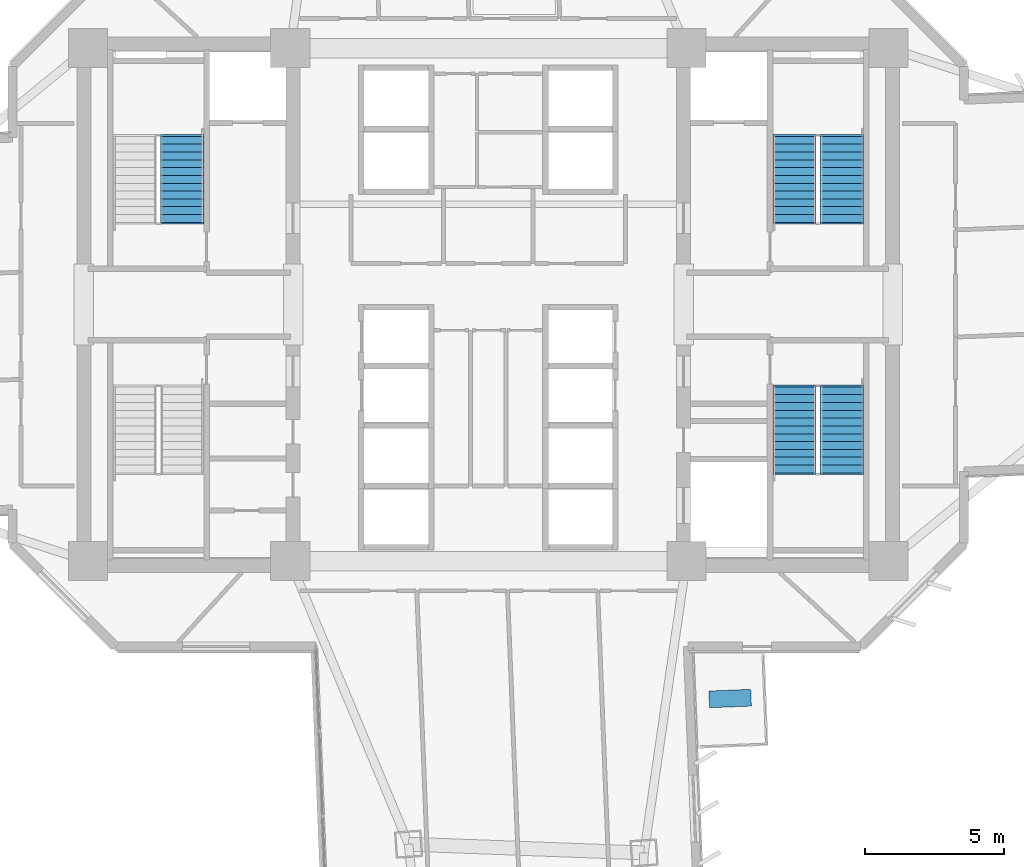
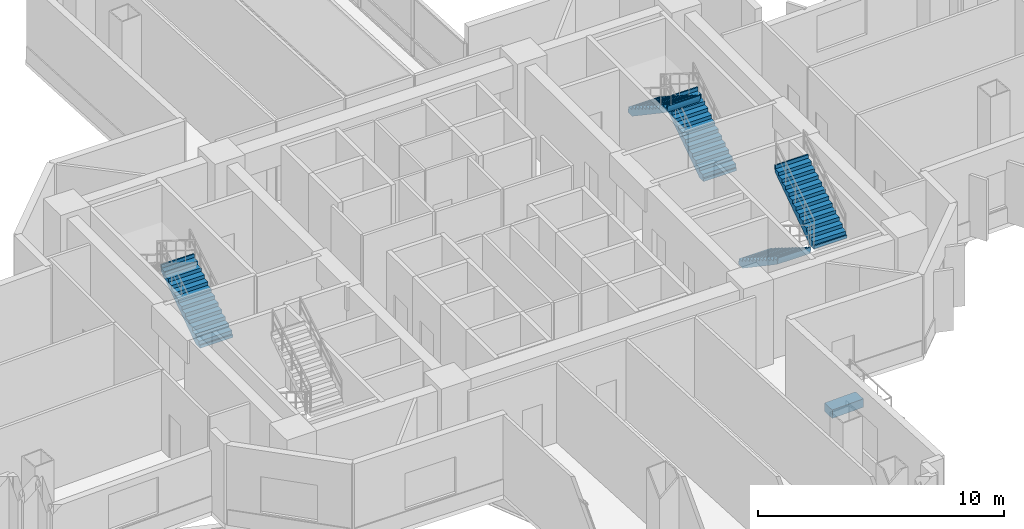
# One storey, part 11 of 16: 5 stair flights, 1 discrete accessory, 3 elements without a shape of their own.
"""IFC4 building model written with IfcOpenShell, lengths in metres."""

from ifc_helpers import new_model, si_unit, direction, frame, origin, origin_2d, place, context, subcontext, project, spatial, polyline, rectangle, outline, extrude, source, transform, mapped, material, type_object, element, aggregate, save


model = new_model("IFC4")

# Units and contexts
model_context = context("Model", 3, precision=1e-05, world=origin(), true_north=direction((0.0, 1.0)))
body_context = subcontext(model_context, "Body", "Model", "MODEL_VIEW")
ifc_project = project(units=[si_unit("LENGTHUNIT", "METRE"), si_unit("AREAUNIT", "SQUARE_METRE"), si_unit("VOLUMEUNIT", "CUBIC_METRE"), si_unit("PLANEANGLEUNIT", "RADIAN"), si_unit("MASSUNIT", "GRAM", prefix="KILO")], contexts=[model_context])

# Site, building, storey
site_placement = place(None, origin())
site = spatial("IfcSite", under=ifc_project, at=site_placement, CompositionType="ELEMENT")
building_placement = place(site_placement, origin())
building = spatial("IfcBuilding", under=site, at=building_placement, Name="Zahravan Cultural Tower", CompositionType="ELEMENT")
storey_placement = place(building_placement, frame((0.0, 0.0, 58.5)))
storey = spatial("IfcBuildingStorey", under=building, at=storey_placement, Name="L12", CompositionType="ELEMENT", Elevation=58.5)

# Stair, stair flight
ifc_material_1 = material(Name="Concrete C45/55", Category="concrete")
stair_type = type_object("IfcStairType", Name="STR-DL-1550-420", PredefinedType="HALF_TURN_STAIR", material=ifc_material_1)
stair_1_placement = place(storey_placement, origin())
stair_1 = element("IfcStair", 1, at=stair_1_placement, inside=storey, type_object=stair_type, Name="L12 West Core North Exit Stair ST-W1", PredefinedType="HALF_TURN_STAIR")
stair_flight_type = type_object("IfcStairFlightType", Name="FLG-DL-1550-420", PredefinedType="STRAIGHT", material=ifc_material_1)
stair_flight_1_placement = place(storey_placement, frame((25.02490234375, 29.949951171875, 0.0), z_axis=(0.0, 0.0, 1.0), x_axis=(0.0, 1.0, 0.0)))
stair_flight_1 = element("IfcStairFlight", 2, at=stair_flight_1_placement, type_object=stair_flight_type, Name="ST-W1 flight 1", NumberOfRisers=12, NumberOfTreads=11, PredefinedType="STRAIGHT", RiserHeight=0.175, TreadLength=0.28, context=body_context, shape_type="SweptSolid", body=[
    extrude(outline(polyline([(-0.06494140625, -0.139892578125), (-0.06494140625, 0.0), (0.0, 0.0), (0.0, 0.175048828125), (0.280029296875, 0.175048828125), (0.280029296875, 0.35009765625), (0.56005859375, 0.35009765625), (0.56005859375, 0.52490234375), (0.840087890625, 0.52490234375), (0.840087890625, 0.699951171875), (1.1201171875, 0.699951171875), (1.1201171875, 0.875), (1.39990234375, 0.875), (1.39990234375, 1.050048828125), (1.679931640625, 1.050048828125), (1.679931640625, 1.22509765625), (1.9599609375, 1.22509765625), (1.9599609375, 1.39990234375), (2.239990234375, 1.39990234375), (2.239990234375, 1.574951171875), (2.52001953125, 1.574951171875), (2.52001953125, 1.75), (2.800048828125, 1.75), (2.800048828125, 1.925048828125), (3.080078125, 1.925048828125), (3.080078125, 2.10009765625), (3.14501953125, 2.10009765625), (3.14501953125, 1.9501953125), (3.080078125, 1.748291015625), (0.28271484375, -0.139892578125), (-0.06494140625, -0.139892578125)])), frame((0.0, 0.77490234375, 0.0), z_axis=(0.0, -1.0, 0.0), x_axis=(1.0, 0.0, 0.0)), (0.0, 0.0, 1.0), 1.550048828125),
])
aggregate(stair_1, [stair_flight_1])

# Stair, stair flights
stair_2_placement = place(storey_placement, origin())
stair_2 = element("IfcStair", 3, at=stair_2_placement, inside=storey, type_object=stair_type, Name="L12 East Core North Exit Stair ST-E1", PredefinedType="HALF_TURN_STAIR")
stair_flight_2_placement = place(storey_placement, frame((48.675048828125, 29.949951171875, 0.0), z_axis=(0.0, 0.0, 1.0), x_axis=(0.0, 1.0, 0.0)))
stair_flight_2 = element("IfcStairFlight", 4, at=stair_flight_2_placement, type_object=stair_flight_type, Name="ST-E1 flight 1", NumberOfRisers=12, NumberOfTreads=11, PredefinedType="STRAIGHT", RiserHeight=0.175, TreadLength=0.28, context=body_context, shape_type="SweptSolid", body=[
    extrude(outline(polyline([(-0.06494140625, -0.139892578125), (-0.06494140625, 0.0), (0.0, 0.0), (0.0, 0.175048828125), (0.280029296875, 0.175048828125), (0.280029296875, 0.35009765625), (0.56005859375, 0.35009765625), (0.56005859375, 0.52490234375), (0.840087890625, 0.52490234375), (0.840087890625, 0.699951171875), (1.1201171875, 0.699951171875), (1.1201171875, 0.875), (1.39990234375, 0.875), (1.39990234375, 1.050048828125), (1.679931640625, 1.050048828125), (1.679931640625, 1.22509765625), (1.9599609375, 1.22509765625), (1.9599609375, 1.39990234375), (2.239990234375, 1.39990234375), (2.239990234375, 1.574951171875), (2.52001953125, 1.574951171875), (2.52001953125, 1.75), (2.800048828125, 1.75), (2.800048828125, 1.925048828125), (3.080078125, 1.925048828125), (3.080078125, 2.10009765625), (3.14501953125, 2.10009765625), (3.14501953125, 1.9501953125), (3.080078125, 1.748291015625), (0.28271484375, -0.139892578125), (-0.06494140625, -0.139892578125)])), frame((0.0, 0.77490234375, 0.0), z_axis=(0.0, -1.0, 0.0), x_axis=(1.0, 0.0, 0.0)), (0.0, 0.0, 1.0), 1.550048828125),
])
stair_flight_3_placement = place(storey_placement, frame((46.97509765625, 33.030029296875, 2.10009765625), z_axis=(0.0, 0.0, 1.0), x_axis=(0.0, -1.0, 0.0)))
stair_flight_3 = element("IfcStairFlight", 5, at=stair_flight_3_placement, type_object=stair_flight_type, Name="ST-E1 flight 2", NumberOfRisers=12, NumberOfTreads=11, PredefinedType="STRAIGHT", RiserHeight=0.175, TreadLength=0.28, context=body_context, shape_type="SweptSolid", body=[
    extrude(outline(polyline([(-0.06494140625, -0.139892578125), (-0.06494140625, 0.0), (0.0, 0.0), (0.0, 0.175048828125), (0.280029296875, 0.175048828125), (0.280029296875, 0.35009765625), (0.56005859375, 0.35009765625), (0.56005859375, 0.52490234375), (0.840087890625, 0.52490234375), (0.840087890625, 0.699951171875), (1.1201171875, 0.699951171875), (1.1201171875, 0.875), (1.39990234375, 0.875), (1.39990234375, 1.050048828125), (1.679931640625, 1.050048828125), (1.679931640625, 1.22509765625), (1.9599609375, 1.22509765625), (1.9599609375, 1.39990234375), (2.239990234375, 1.39990234375), (2.239990234375, 1.574951171875), (2.52001953125, 1.574951171875), (2.52001953125, 1.75), (2.800048828125, 1.75), (2.800048828125, 1.925048828125), (3.080078125, 1.925048828125), (3.080078125, 2.10009765625), (3.14501953125, 2.10009765625), (3.14501953125, 1.9501953125), (3.080078125, 1.748291015625), (0.28271484375, -0.139892578125), (-0.06494140625, -0.139892578125)])), frame((0.0, 0.77490234375, 0.0), z_axis=(0.0, -1.0, 0.0), x_axis=(1.0, 0.0, 0.0)), (0.0, 0.0, 1.0), 1.550048828125),
])
aggregate(stair_2, [stair_flight_2, stair_flight_3])

stair_3_placement = place(storey_placement, origin())
stair_3 = element("IfcStair", 6, at=stair_3_placement, inside=storey, type_object=stair_type, Name="L12 East Core South Exit Stair ST-E2", PredefinedType="HALF_TURN_STAIR")
stair_flight_4_placement = place(storey_placement, frame((46.97509765625, 24.050048828125, 0.0), z_axis=(0.0, 0.0, 1.0), x_axis=(0.0, -1.0, 0.0)))
stair_flight_4 = element("IfcStairFlight", 7, at=stair_flight_4_placement, type_object=stair_flight_type, Name="ST-E2 flight 1", NumberOfRisers=12, NumberOfTreads=11, PredefinedType="STRAIGHT", RiserHeight=0.175, TreadLength=0.28, context=body_context, shape_type="SweptSolid", body=[
    extrude(outline(polyline([(-0.06494140625, -0.139892578125), (-0.06494140625, 0.0), (0.0, 0.0), (0.0, 0.175048828125), (0.280029296875, 0.175048828125), (0.280029296875, 0.35009765625), (0.56005859375, 0.35009765625), (0.56005859375, 0.52490234375), (0.840087890625, 0.52490234375), (0.840087890625, 0.699951171875), (1.1201171875, 0.699951171875), (1.1201171875, 0.875), (1.39990234375, 0.875), (1.39990234375, 1.050048828125), (1.679931640625, 1.050048828125), (1.679931640625, 1.22509765625), (1.9599609375, 1.22509765625), (1.9599609375, 1.39990234375), (2.239990234375, 1.39990234375), (2.239990234375, 1.574951171875), (2.52001953125, 1.574951171875), (2.52001953125, 1.75), (2.800048828125, 1.75), (2.800048828125, 1.925048828125), (3.080078125, 1.925048828125), (3.080078125, 2.10009765625), (3.14501953125, 2.10009765625), (3.14501953125, 1.9501953125), (3.080078125, 1.748291015625), (0.28271484375, -0.139892578125), (-0.06494140625, -0.139892578125)])), frame((0.0, 0.77490234375, 0.0), z_axis=(0.0, -1.0, 0.0), x_axis=(1.0, 0.0, 0.0)), (0.0, 0.0, 1.0), 1.550048828125),
])
stair_flight_5_placement = place(storey_placement, frame((48.675048828125, 20.969970703125, 2.10009765625), z_axis=(0.0, 0.0, 1.0), x_axis=(0.0, 1.0, 0.0)))
stair_flight_5 = element("IfcStairFlight", 8, at=stair_flight_5_placement, type_object=stair_flight_type, Name="ST-E2 flight 2", NumberOfRisers=12, NumberOfTreads=11, PredefinedType="STRAIGHT", RiserHeight=0.175, TreadLength=0.28, context=body_context, shape_type="SweptSolid", body=[
    extrude(outline(polyline([(-0.06494140625, -0.139892578125), (-0.06494140625, 0.0), (0.0, 0.0), (0.0, 0.175048828125), (0.280029296875, 0.175048828125), (0.280029296875, 0.35009765625), (0.56005859375, 0.35009765625), (0.56005859375, 0.52490234375), (0.840087890625, 0.52490234375), (0.840087890625, 0.699951171875), (1.1201171875, 0.699951171875), (1.1201171875, 0.875), (1.39990234375, 0.875), (1.39990234375, 1.050048828125), (1.679931640625, 1.050048828125), (1.679931640625, 1.22509765625), (1.9599609375, 1.22509765625), (1.9599609375, 1.39990234375), (2.239990234375, 1.39990234375), (2.239990234375, 1.574951171875), (2.52001953125, 1.574951171875), (2.52001953125, 1.75), (2.800048828125, 1.75), (2.800048828125, 1.925048828125), (3.080078125, 1.925048828125), (3.080078125, 2.10009765625), (3.14501953125, 2.10009765625), (3.14501953125, 1.9501953125), (3.080078125, 1.748291015625), (0.28271484375, -0.139892578125), (-0.06494140625, -0.139892578125)])), frame((0.0, 0.77490234375, 0.0), z_axis=(0.0, -1.0, 0.0), x_axis=(1.0, 0.0, 0.0)), (0.0, 0.0, 1.0), 1.550048828125),
])
aggregate(stair_3, [stair_flight_4, stair_flight_5])

# Discrete accessory
ifc_material_2 = material(Name="Planted soil and terracotta planter", Category="masonry")
discrete_accessory_type = type_object("IfcDiscreteAccessoryType", Name="ACC-PLANTER-TC", PredefinedType="USERDEFINED", material=ifc_material_2)
shared_shape = source(origin(), body_context, "Body", "SweptSolid", [
    extrude(rectangle(XDim=1.5, YDim=0.60009765625, at=origin_2d()), origin(), (0.0, 0.0, 1.0), 0.419921875),
])
discrete_accessory_placement = place(storey_placement, frame((44.671142578125, 12.875732421875, 0.0), z_axis=(0.0, 0.0, 1.0), x_axis=(0.999208342878, 0.039783005453, 0.0)))
element("IfcDiscreteAccessory", 9, at=discrete_accessory_placement, inside=storey, type_object=discrete_accessory_type, Name="L12 Terracotta Sculpture Planter SE", ObjectType="PLANTER", PredefinedType="USERDEFINED", context=body_context, shape_type="MappedRepresentation", body=[
    mapped(shared_shape, transform((0.0, 0.0, 0.0), x_axis=(1.0, 0.0, 0.0), y_axis=(0.0, 1.0, 0.0), z_axis=(0.0, 0.0, 1.0), scale=1.0)),
])

save(model, "model.ifc")
